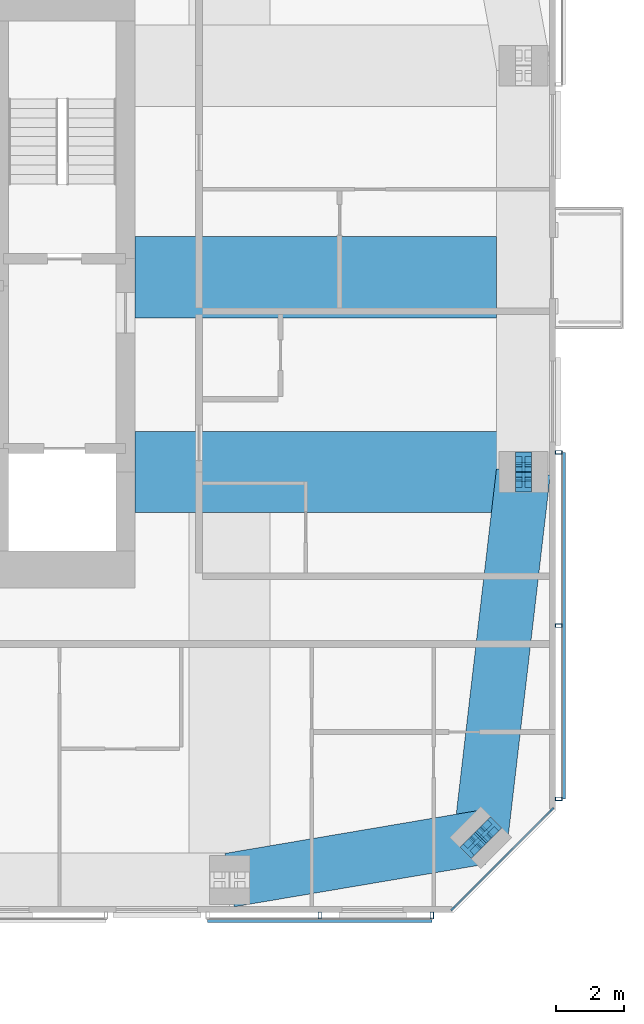
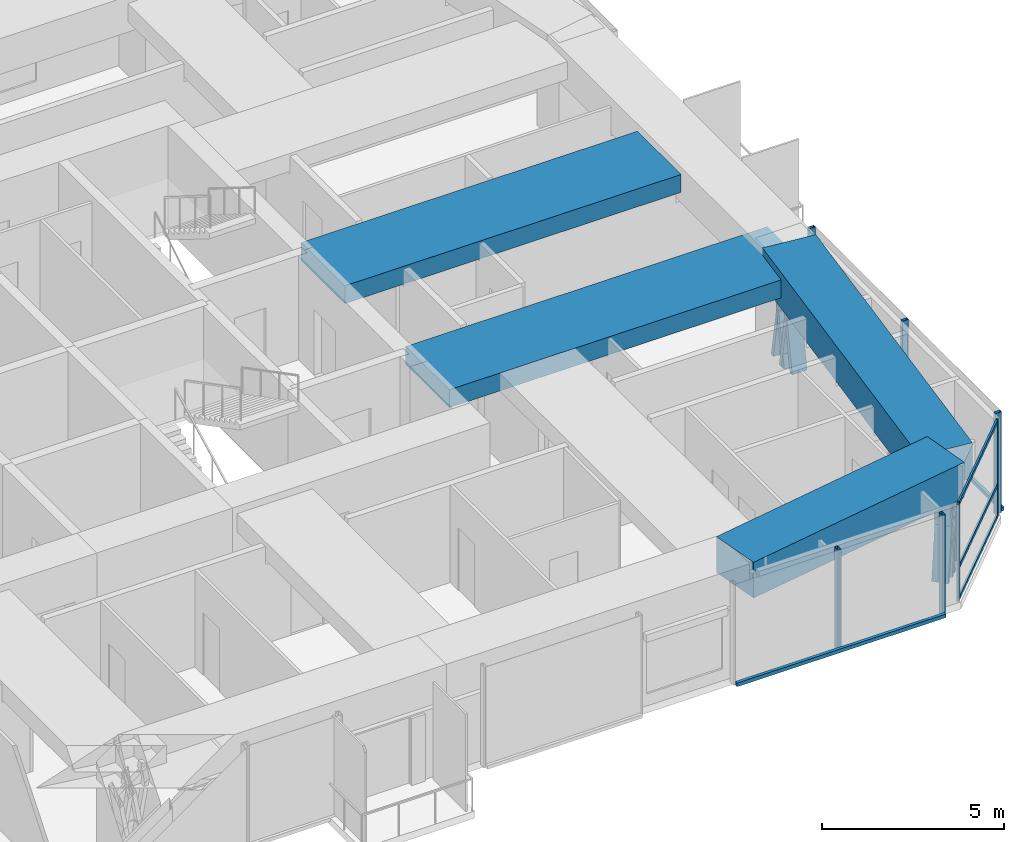
# One storey, part 7 of 18: 20 members, 4 beams, 3 elements without a shape of their own.
"""IFC4 building model written with IfcOpenShell, lengths in metres."""

from ifc_helpers import new_model, si_unit, direction, frame, origin, origin_2d, place, context, subcontext, project, spatial, rectangle, hollow_rectangle, i_section, extrude, material, material_profile, profile_set, type_object, element, aggregate, save


model = new_model("IFC4")

# Units and contexts
model_context = context("Model", 3, precision=1e-05, world=origin(), true_north=direction((0.0, 1.0)))
body_context = subcontext(model_context, "Body", "Model", "MODEL_VIEW")
ifc_project = project(units=[si_unit("LENGTHUNIT", "METRE"), si_unit("AREAUNIT", "SQUARE_METRE"), si_unit("VOLUMEUNIT", "CUBIC_METRE"), si_unit("PLANEANGLEUNIT", "RADIAN"), si_unit("MASSUNIT", "GRAM", prefix="KILO")], contexts=[model_context])

# Site, building, storey
site_placement = place(None, origin())
site = spatial("IfcSite", under=ifc_project, at=site_placement, CompositionType="ELEMENT")
building_placement = place(site_placement, origin())
building = spatial("IfcBuilding", under=site, at=building_placement, Name="Jalousie Tower", CompositionType="ELEMENT")
storey_placement = place(building_placement, frame((0.0, 0.0, 249.449951171875)))
storey = spatial("IfcBuildingStorey", under=building, at=storey_placement, Name="L68", CompositionType="ELEMENT", Elevation=249.449951171875)

# Curtain wall, members
ifc_material_1 = material(Name="Aluminium curtain wall", Category="aluminium")
curtain_wall_type_1 = type_object("IfcCurtainWallType", Name="CORNER WINDOW WALL", PredefinedType="USERDEFINED", material=ifc_material_1)
curtain_wall_1_placement = place(storey_placement, origin())
curtain_wall_1 = element("IfcCurtainWall", 1, at=curtain_wall_1_placement, inside=storey, type_object=curtain_wall_type_1, Name="Corner Window Wall L68 2", ObjectType="CORNER WINDOW WALL", PredefinedType="USERDEFINED")
ifc_material_2 = material(Name="Aluminium mullion", Category="aluminium")
ifc_material_profile_1 = material_profile(ifc_material_2, rectangle(XDim=0.06005859375, YDim=0.14990234375, at=origin_2d()), Name="MULLION 60x150")
ifc_profile_set_1 = profile_set([ifc_material_profile_1], Name="Aluminium mullion")
member_type_1 = type_object("IfcMemberType", Name="CORNER WINDOW WALL MULLION", PredefinedType="MULLION", material=ifc_profile_set_1)
member_1_placement = place(storey_placement, frame((53.469970703125, 0.108642578125, 0.0), z_axis=(0.0, 0.0, 1.0), x_axis=(-0.707106781187, 0.707106781187, 0.0)))
member_1 = element("IfcMember", 2, at=member_1_placement, type_object=member_type_1, Name="CW-C mullion 1", PredefinedType="MULLION", context=body_context, shape_type="SweptSolid", body=[
    extrude(rectangle(XDim=0.06005859375, YDim=0.14990234375, at=origin_2d()), origin(), (0.0, 0.0, 1.0), 3.260009765625),
])
member_2_placement = place(storey_placement, frame((56.391357421875, 3.030029296875, 0.0), z_axis=(0.0, 0.0, 1.0), x_axis=(-0.707106781187, 0.707106781187, 0.0)))
member_2 = element("IfcMember", 3, at=member_2_placement, type_object=member_type_1, Name="CW-C mullion 2", PredefinedType="MULLION", context=body_context, shape_type="SweptSolid", body=[
    extrude(rectangle(XDim=0.06005859375, YDim=0.14990234375, at=origin_2d()), origin(), (0.0, 0.0, 1.0), 3.260009765625),
])
ifc_material_3 = material(Name="Aluminium transom", Category="aluminium")
ifc_material_profile_2 = material_profile(ifc_material_3, rectangle(XDim=0.06005859375, YDim=0.1201171875, at=origin_2d()), Name="TRANSOM 60x120")
ifc_profile_set_2 = profile_set([ifc_material_profile_2], Name="Aluminium transom")
member_type_2 = type_object("IfcMemberType", Name="CORNER WINDOW WALL TRANSOM", PredefinedType="USERDEFINED", material=ifc_profile_set_2)
member_3_placement = place(storey_placement, frame((53.4912109375, 0.1298828125, 0.030029296875), z_axis=(0.707106781187, 0.707106781187, 0.0), x_axis=(-0.707106781187, 0.707106781187, 0.0)))
member_3 = element("IfcMember", 4, at=member_3_placement, type_object=member_type_2, Name="CW-C transom 1.1", ObjectType="TRANSOM", PredefinedType="USERDEFINED", context=body_context, shape_type="SweptSolid", body=[
    extrude(rectangle(XDim=0.06005859375, YDim=0.1201171875, at=origin_2d()), origin(), (0.0, 0.0, 1.0), 4.0712890625),
])
member_4_placement = place(storey_placement, frame((53.4912109375, 0.1298828125, 1.10009765625), z_axis=(0.707106781187, 0.707106781187, 0.0), x_axis=(-0.707106781187, 0.707106781187, 0.0)))
member_4 = element("IfcMember", 5, at=member_4_placement, type_object=member_type_2, Name="CW-C transom 1.2", ObjectType="TRANSOM", PredefinedType="USERDEFINED", context=body_context, shape_type="SweptSolid", body=[
    extrude(rectangle(XDim=0.06005859375, YDim=0.1201171875, at=origin_2d()), origin(), (0.0, 0.0, 1.0), 4.0712890625),
])
member_5_placement = place(storey_placement, frame((53.4912109375, 0.1298828125, 3.22998046875), z_axis=(0.707106781187, 0.707106781187, 0.0), x_axis=(-0.707106781187, 0.707106781187, 0.0)))
member_5 = element("IfcMember", 6, at=member_5_placement, type_object=member_type_2, Name="CW-C transom 1.3", ObjectType="TRANSOM", PredefinedType="USERDEFINED", context=body_context, shape_type="SweptSolid", body=[
    extrude(rectangle(XDim=0.06005859375, YDim=0.1201171875, at=origin_2d()), origin(), (0.0, 0.0, 1.0), 4.0712890625),
])
aggregate(curtain_wall_1, [member_1, member_2, member_3, member_4, member_5])

# Members
ifc_material_4 = material(Name="Steel ASTM A992 Grade 50", Category="steel")
ifc_material_profile_3 = material_profile(ifc_material_4, i_section(OverallWidth=0.472412109375, OverallDepth=0.5791015625, WebThickness=0.094970703125, FlangeThickness=0.1298828125, at=origin_2d()), Name="W14X808")
ifc_profile_set_3 = profile_set([ifc_material_profile_3], Name="Steel ASTM A992 Grade 50")
member_type_3 = type_object("IfcMemberType", Name="PERIMETER BRACE W14X808", PredefinedType="BRACE", material=ifc_profile_set_3)
for number, where, z_axis, x_axis, name in (
    (7, (54.04541015625, 1.959716796875, -0.599853515625), (0.138716051522, 0.138579250682, 0.980588419435), (-0.706757851183, 0.707455539091, 0.0), "Perimeter brace 05 L68 part 1"),
    (8, (54.29296875, 2.20703125, 1.150146484375), (0.138579250682, 0.138716051522, 0.980588419435), (-0.707455539091, 0.706757851183, 0.0), "Perimeter brace 05 L68 part 2"),
    (9, (54.540283203125, 2.45458984375, -0.599853515625), (-0.138579250682, -0.138716051522, 0.980588419435), (0.707455539091, -0.706757851183, 0.0), "Perimeter brace 05 L68 part 3"),
    (10, (54.29296875, 2.20703125, 1.150146484375), (-0.138716051522, -0.138579250682, 0.980588419435), (0.706757851183, -0.707455539091, 0.0), "Perimeter brace 05 L68 part 4"),
):
    element("IfcMember", number, at=place(storey_placement, frame(where, z_axis=z_axis, x_axis=x_axis)), inside=storey, type_object=member_type_3, Name=name, PredefinedType="BRACE", context=body_context, shape_type="SweptSolid", body=[
        extrude(i_section(OverallWidth=0.472412109375, OverallDepth=0.5791015625, WebThickness=0.094970703125, FlangeThickness=0.1298828125, at=origin_2d()), origin(), (0.0, 0.0, 1.0), 1.78466796875),
    ])
for number, where, z_axis, x_axis, name in (
    (11, (55.550048828125, 12.699951171875, -0.599853515625), (0.0, 0.168990530437, 0.98561767467), (-1.0, 0.0, 0.0), "Perimeter brace 06 L68 part 1"),
    (12, (55.550048828125, 13.0, 1.150146484375), (0.0, 0.168990530437, 0.98561767467), (-1.0, 0.0, 0.0), "Perimeter brace 06 L68 part 2"),
    (13, (55.550048828125, 13.300048828125, -0.599853515625), (0.0, -0.168990530437, 0.98561767467), (1.0, 0.0, 0.0), "Perimeter brace 06 L68 part 3"),
    (14, (55.550048828125, 13.0, 1.150146484375), (0.0, -0.168990530437, 0.98561767467), (1.0, 0.0, 0.0), "Perimeter brace 06 L68 part 4"),
):
    element("IfcMember", number, at=place(storey_placement, frame(where, z_axis=z_axis, x_axis=x_axis)), inside=storey, type_object=member_type_3, Name=name, PredefinedType="BRACE", context=body_context, shape_type="SweptSolid", body=[
        extrude(i_section(OverallWidth=0.472412109375, OverallDepth=0.5791015625, WebThickness=0.094970703125, FlangeThickness=0.1298828125, at=origin_2d()), origin(), (0.0, 0.0, 1.0), 1.775634765625),
    ])

# Beams
ifc_material_5 = material(Name="Concrete f'c 40 MPa", Category="concrete")
ifc_material_profile_4 = material_profile(ifc_material_5, rectangle(XDim=1.60009765625, YDim=1.199951171875, at=origin_2d()), Name="RC 1600x1200")
ifc_profile_set_4 = profile_set([ifc_material_profile_4], Name="Concrete f'c 40 MPa")
beam_type_1 = type_object("IfcBeamType", Name="RC BEAM 1600x1200", PredefinedType="BEAM", material=ifc_profile_set_4)
beam_1_placement = place(storey_placement, frame((46.875, 0.949951171875, 2.900146484375), z_axis=(0.985942997446, 0.167082033105, 0.0), x_axis=(-0.167082033105, 0.985942997446, 0.0)))
element("IfcBeam", 15, at=beam_1_placement, inside=storey, type_object=beam_type_1, Name="Edge band beam 04-05 under L69", PredefinedType="BEAM", context=body_context, shape_type="SweptSolid", body=[
    extrude(rectangle(XDim=1.60009765625, YDim=1.199951171875, at=origin_2d()), origin(), (0.0, 0.0, 1.0), 7.523681640625),
])
beam_2_placement = place(storey_placement, frame((54.29296875, 2.20703125, 2.900146484375), z_axis=(0.115690063472, 0.993285361421, 0.0), x_axis=(-0.993285361421, 0.115690063472, 0.0)))
element("IfcBeam", 16, at=beam_2_placement, inside=storey, type_object=beam_type_1, Name="Edge band beam 05-06 under L69", PredefinedType="BEAM", context=body_context, shape_type="SweptSolid", body=[
    extrude(rectangle(XDim=1.60009765625, YDim=1.199951171875, at=origin_2d()), origin(), (0.0, 0.0, 1.0), 10.865966796875),
])
ifc_material_6 = material(Name="Concrete f'c 40 MPa", Category="concrete")
ifc_material_profile_5 = material_profile(ifc_material_6, rectangle(XDim=2.39990234375, YDim=0.60009765625, at=origin_2d()), Name="RC 2400x600")
ifc_profile_set_5 = profile_set([ifc_material_profile_5], Name="Concrete f'c 40 MPa")
beam_type_2 = type_object("IfcBeamType", Name="RC BEAM 2400x600", PredefinedType="BEAM", material=ifc_profile_set_5)
beam_3_placement = place(storey_placement, frame((55.550048828125, 13.0, 2.9599609375), z_axis=(-1.0, 0.0, 0.0), x_axis=(0.0, -1.0, 0.0)))
element("IfcBeam", 17, at=beam_3_placement, inside=storey, type_object=beam_type_2, Name="Floor band beam under L69", PredefinedType="BEAM", context=body_context, shape_type="SweptSolid", body=[
    extrude(rectangle(XDim=2.39990234375, YDim=0.60009765625, at=origin_2d()), origin(), (0.0, 0.0, 1.0), 11.47509765625),
])
beam_4_placement = place(storey_placement, frame((44.074951171875, 18.75, 2.9599609375), z_axis=(1.0, 0.0, 0.0), x_axis=(0.0, 1.0, 0.0)))
element("IfcBeam", 18, at=beam_4_placement, inside=storey, type_object=beam_type_2, Name="Floor band beam under L69", PredefinedType="BEAM", context=body_context, shape_type="SweptSolid", body=[
    extrude(rectangle(XDim=2.39990234375, YDim=0.60009765625, at=origin_2d()), origin(), (0.0, 0.0, 1.0), 10.675048828125),
])

# Curtain wall, members
ifc_material_7 = material(Name="Perforated aluminium sheet", Category="aluminium")
curtain_wall_type_2 = type_object("IfcCurtainWallType", Name="SOLAR SCREEN SS-2", PredefinedType="USERDEFINED", material=ifc_material_7)
curtain_wall_2_placement = place(storey_placement, origin())
curtain_wall_2 = element("IfcCurtainWall", 19, at=curtain_wall_2_placement, inside=storey, type_object=curtain_wall_type_2, Name="Solar screen L68", ObjectType="SOLAR SCREEN SS-2", PredefinedType="USERDEFINED")
ifc_material_8 = material(Name="Steel ASTM A500 Grade C", Category="steel")
ifc_material_profile_6 = material_profile(ifc_material_8, hollow_rectangle(XDim=0.1015625, YDim=0.203125, WallThickness=0.0078125, at=origin_2d()), Name="HSS8X4X5/16")
ifc_profile_set_6 = profile_set([ifc_material_profile_6], Name="Steel ASTM A500 Grade C")
member_type_4 = type_object("IfcMemberType", Name="SOLAR SCREEN SS-2 MULLION", PredefinedType="MULLION", material=ifc_profile_set_6)
member_6_placement = place(storey_placement, frame((49.53759765625, -0.0966796875, -0.119873046875), z_axis=(0.0, 0.0, 1.0), x_axis=(1.0, 0.0, 0.0)))
member_6 = element("IfcMember", 20, at=member_6_placement, type_object=member_type_4, Name="SS2 post 2", PredefinedType="MULLION", context=body_context, shape_type="SweptSolid", body=[
    extrude(hollow_rectangle(XDim=0.1015625, YDim=0.203125, WallThickness=0.0078125, at=origin_2d()), origin(), (0.0, 0.0, 1.0), 3.3798828125),
])
member_7_placement = place(storey_placement, frame((52.85009765625, -0.0966796875, -0.119873046875), z_axis=(0.0, 0.0, 1.0), x_axis=(1.0, 0.0, 0.0)))
member_7 = element("IfcMember", 21, at=member_7_placement, type_object=member_type_4, Name="SS2 post 3", PredefinedType="MULLION", context=body_context, shape_type="SweptSolid", body=[
    extrude(hollow_rectangle(XDim=0.1015625, YDim=0.203125, WallThickness=0.0078125, at=origin_2d()), origin(), (0.0, 0.0, 1.0), 3.3798828125),
])

curtain_wall_3_placement = place(storey_placement, origin())
curtain_wall_3 = element("IfcCurtainWall", 22, at=curtain_wall_3_placement, inside=storey, type_object=curtain_wall_type_2, Name="Solar screen L68", ObjectType="SOLAR SCREEN SS-2", PredefinedType="USERDEFINED")
member_8_placement = place(storey_placement, frame((56.5966796875, 3.351318359375, -0.119873046875), z_axis=(0.0, 0.0, 1.0), x_axis=(0.0, 1.0, 0.0)))
member_8 = element("IfcMember", 23, at=member_8_placement, type_object=member_type_4, Name="SS2 post 1", PredefinedType="MULLION", context=body_context, shape_type="SweptSolid", body=[
    extrude(hollow_rectangle(XDim=0.1015625, YDim=0.203125, WallThickness=0.0078125, at=origin_2d()), origin(), (0.0, 0.0, 1.0), 3.3798828125),
])
member_9_placement = place(storey_placement, frame((56.5966796875, 8.466552734375, -0.119873046875), z_axis=(0.0, 0.0, 1.0), x_axis=(0.0, 1.0, 0.0)))
member_9 = element("IfcMember", 24, at=member_9_placement, type_object=member_type_4, Name="SS2 post 2", PredefinedType="MULLION", context=body_context, shape_type="SweptSolid", body=[
    extrude(hollow_rectangle(XDim=0.1015625, YDim=0.203125, WallThickness=0.0078125, at=origin_2d()), origin(), (0.0, 0.0, 1.0), 3.3798828125),
])
member_10_placement = place(storey_placement, frame((56.5966796875, 13.581787109375, -0.119873046875), z_axis=(0.0, 0.0, 1.0), x_axis=(0.0, 1.0, 0.0)))
member_10 = element("IfcMember", 25, at=member_10_placement, type_object=member_type_4, Name="SS2 post 3", PredefinedType="MULLION", context=body_context, shape_type="SweptSolid", body=[
    extrude(hollow_rectangle(XDim=0.1015625, YDim=0.203125, WallThickness=0.0078125, at=origin_2d()), origin(), (0.0, 0.0, 1.0), 3.3798828125),
])

# Member
ifc_material_9 = material(Name="Extruded aluminium screen rail", Category="aluminium")
ifc_material_profile_7 = material_profile(ifc_material_9, rectangle(XDim=0.1015625, YDim=0.1201171875, at=origin_2d()), Name="RAIL 102x120")
ifc_profile_set_7 = profile_set([ifc_material_profile_7], Name="Extruded aluminium screen rail")
member_type_5 = type_object("IfcMemberType", Name="SOLAR SCREEN SS-2 TRANSOM", PredefinedType="USERDEFINED", material=ifc_profile_set_7)
member_11_placement = place(storey_placement, frame((46.22509765625, -0.2490234375, -0.06005859375), z_axis=(1.0, 0.0, 0.0), x_axis=(0.0, 1.0, 0.0)))
member_11 = element("IfcMember", 26, at=member_11_placement, type_object=member_type_5, Name="SS2 rail", ObjectType="TRANSOM", PredefinedType="USERDEFINED", context=body_context, shape_type="SweptSolid", body=[
    extrude(rectangle(XDim=0.1015625, YDim=0.1201171875, at=origin_2d()), origin(), (0.0, 0.0, 1.0), 6.625),
])

aggregate(curtain_wall_2, [member_6, member_7, member_11])

member_12_placement = place(storey_placement, frame((56.7490234375, 3.351318359375, -0.06005859375), z_axis=(0.0, 1.0, 0.0), x_axis=(-1.0, 0.0, 0.0)))
member_12 = element("IfcMember", 27, at=member_12_placement, type_object=member_type_5, Name="SS2 rail", ObjectType="TRANSOM", PredefinedType="USERDEFINED", context=body_context, shape_type="SweptSolid", body=[
    extrude(rectangle(XDim=0.1015625, YDim=0.1201171875, at=origin_2d()), origin(), (0.0, 0.0, 1.0), 10.23046875),
])

aggregate(curtain_wall_3, [member_8, member_9, member_10, member_12])

save(model, "model.ifc")
